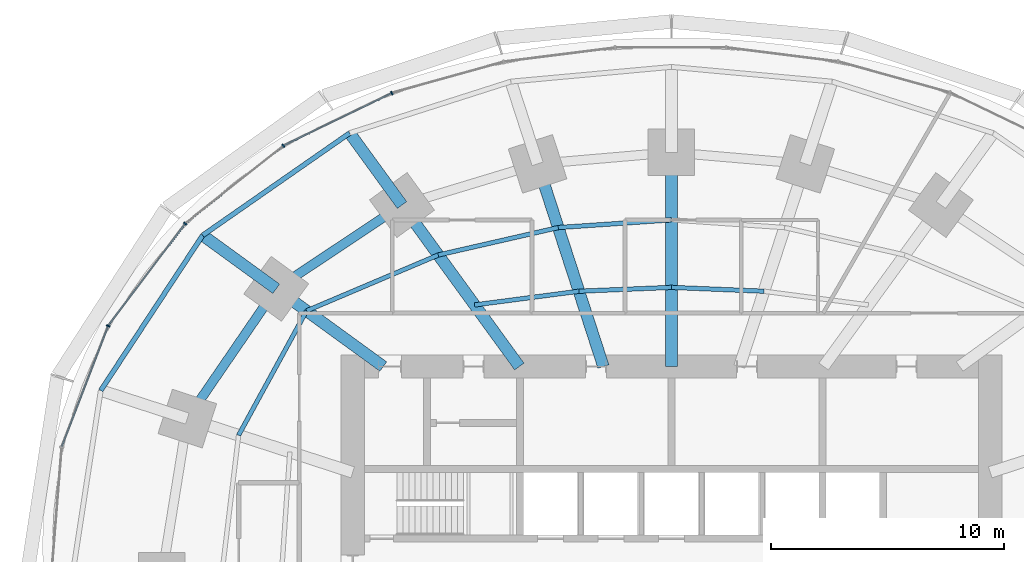
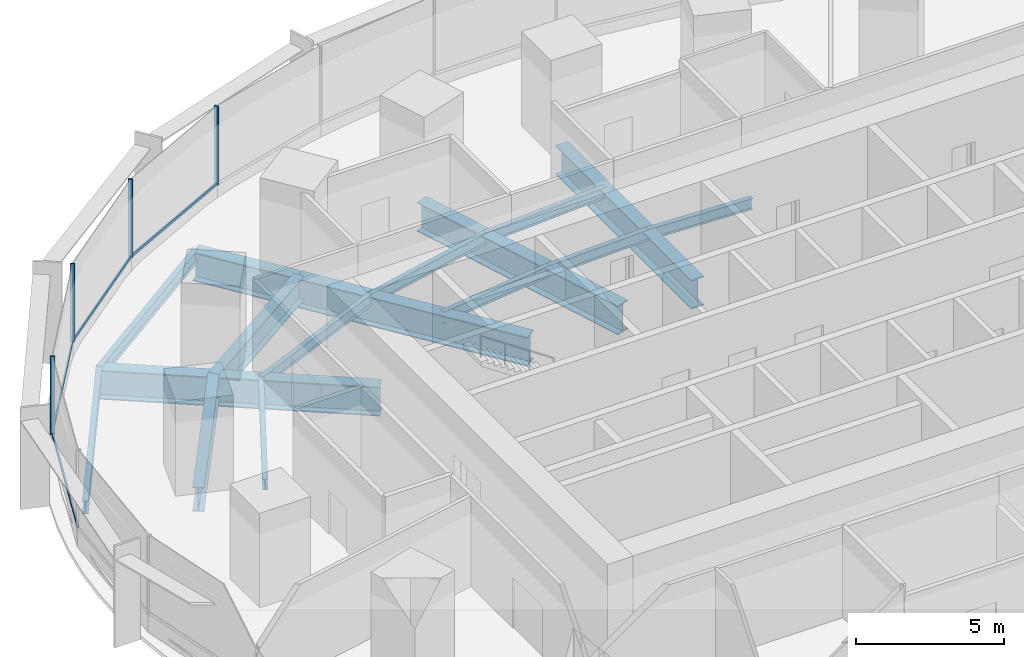
# One storey, part 7 of 15: 17 beams, 8 members, 1 element without a shape of its own.
"""IFC4 building model written with IfcOpenShell, lengths in metres."""

from ifc_helpers import new_model, si_unit, direction, frame, origin, origin_2d, place, context, subcontext, project, spatial, rectangle, i_section, extrude, material, material_profile, profile_set, type_object, element, aggregate, save


model = new_model("IFC4")

# Units and contexts
model_context = context("Model", 3, precision=1e-05, world=origin(), true_north=direction((0.0, 1.0)))
body_context = subcontext(model_context, "Body", "Model", "MODEL_VIEW")
ifc_project = project(units=[si_unit("LENGTHUNIT", "METRE"), si_unit("AREAUNIT", "SQUARE_METRE"), si_unit("VOLUMEUNIT", "CUBIC_METRE"), si_unit("PLANEANGLEUNIT", "RADIAN"), si_unit("MASSUNIT", "GRAM", prefix="KILO")], contexts=[model_context])

# Site, building, storey
site_placement = place(None, origin())
site = spatial("IfcSite", under=ifc_project, at=site_placement, CompositionType="ELEMENT")
building_placement = place(site_placement, origin())
building = spatial("IfcBuilding", under=site, at=building_placement, Name="Marramba Exchange Tower", CompositionType="ELEMENT")
storey_placement = place(building_placement, frame((0.0, 0.0, 49.0)))
storey = spatial("IfcBuildingStorey", under=building, at=storey_placement, Name="L11", CompositionType="ELEMENT", Elevation=49.0)

# Beams
ifc_material_1 = material(Name="Steel AS/NZS 3679.2 grade 300", Category="steel")
ifc_material_profile_1 = material_profile(ifc_material_1, i_section(OverallWidth=0.5, OverallDepth=1.199951171875, WebThickness=0.01611328125, FlangeThickness=0.0400390625, at=origin_2d()), Name="1200WB455")
ifc_profile_set_1 = profile_set([ifc_material_profile_1], Name="Steel AS/NZS 3679.2 grade 300")
beam_type_1 = type_object("IfcBeamType", Name="Cantilever girder 1200WB455", PredefinedType="BEAM", material=ifc_profile_set_1)
beam_1_placement = place(storey_placement, frame((-11.581298828125, 15.9404296875, -0.760009765625), z_axis=(-0.587795827483, 0.809009310944, 0.0), x_axis=(-0.809009310944, -0.587795827483, 0.0)))
element("IfcBeam", 1, at=beam_1_placement, inside=storey, type_object=beam_type_1, Name="Cantilever girder L11 TC08", PredefinedType="BEAM", context=body_context, shape_type="SweptSolid", body=[
    extrude(i_section(OverallWidth=0.5, OverallDepth=1.199951171875, WebThickness=0.01611328125, FlangeThickness=0.0400390625, at=origin_2d()), origin(), (0.0, 0.0, 1.0), 3.82421875),
])
beam_2_placement = place(storey_placement, frame((-16.98583984375, 12.3408203125, -0.760009765625), z_axis=(-0.808987260856, 0.587826174793, 0.0), x_axis=(-0.587826174793, -0.808987260856, 0.0)))
element("IfcBeam", 2, at=beam_2_placement, inside=storey, type_object=beam_type_1, Name="Cantilever girder L11 TC09", PredefinedType="BEAM", context=body_context, shape_type="SweptSolid", body=[
    extrude(i_section(OverallWidth=0.5, OverallDepth=1.199951171875, WebThickness=0.01611328125, FlangeThickness=0.0400390625, at=origin_2d()), origin(), (0.0, 0.0, 1.0), 3.90771484375),
])
ifc_material_2 = material(Name="Steel AS/NZS 3679.1 grade 300", Category="steel")
ifc_material_profile_2 = material_profile(ifc_material_2, i_section(OverallWidth=0.18994140625, OverallDepth=0.4541015625, WebThickness=0.008544921875, FlangeThickness=0.0126953125, FilletRadius=0.011474609375, at=origin_2d()), Name="460UB67.1")
ifc_profile_set_2 = profile_set([ifc_material_profile_2], Name="Steel AS/NZS 3679.1 grade 300")
beam_type_2 = type_object("IfcBeamType", Name="Floor joist 460UB67.1", PredefinedType="JOIST", material=ifc_profile_set_2)
for number, where, z_axis, x_axis, name in (
    (3, (3.975830078125, 12.236083984375, -0.386962890625), (-0.999137002892, 0.041536122257, 0.0), (-0.041536122257, -0.999137002892, 0.0), "Joist L11 bay 05 row 1"),
    (4, (0.0, 12.4013671875, -0.386962890625), (-0.999137002892, -0.041536122257, 0.0), (0.041536122257, -0.999137002892, 0.0), "Joist L11 bay 06 row 1"),
):
    element("IfcBeam", number, at=place(storey_placement, frame(where, z_axis=z_axis, x_axis=x_axis)), inside=storey, type_object=beam_type_2, Name=name, PredefinedType="JOIST", context=body_context, shape_type="SweptSolid", body=[
        extrude(i_section(OverallWidth=0.18994140625, OverallDepth=0.4541015625, WebThickness=0.008544921875, FlangeThickness=0.0126953125, FilletRadius=0.011474609375, at=origin_2d()), origin(), (0.0, 0.0, 1.0), 3.979248046875),
    ])
beam_3_placement = place(storey_placement, frame((0.0, 15.302734375, -0.386962890625), z_axis=(-0.997702652202, -0.067745241816, 0.0), x_axis=(0.067745241816, -0.997702652202, 0.0)))
element("IfcBeam", 5, at=beam_3_placement, inside=storey, type_object=beam_type_2, Name="Joist L11 bay 06 row 2", PredefinedType="JOIST", context=body_context, shape_type="SweptSolid", body=[
    extrude(i_section(OverallWidth=0.18994140625, OverallDepth=0.4541015625, WebThickness=0.008544921875, FlangeThickness=0.0126953125, FilletRadius=0.011474609375, at=origin_2d()), origin(), (0.0, 0.0, 1.0), 4.8759765625),
])
beam_4_placement = place(storey_placement, frame((-3.975830078125, 12.236083984375, -0.386962890625), z_axis=(-0.991480538255, -0.130254912618, 0.0), x_axis=(0.130254912618, -0.991480538255, 0.0)))
element("IfcBeam", 6, at=beam_4_placement, inside=storey, type_object=beam_type_2, Name="Joist L11 bay 07 row 1", PredefinedType="JOIST", context=body_context, shape_type="SweptSolid", body=[
    extrude(i_section(OverallWidth=0.18994140625, OverallDepth=0.4541015625, WebThickness=0.008544921875, FlangeThickness=0.0126953125, FilletRadius=0.011474609375, at=origin_2d()), origin(), (0.0, 0.0, 1.0), 4.524658203125),
])
beam_5_placement = place(storey_placement, frame((-4.86474609375, 14.972412109375, -0.386962890625), z_axis=(-0.974859652292, -0.222819788916, 0.0), x_axis=(0.222819788916, -0.974859652292, 0.0)))
element("IfcBeam", 7, at=beam_5_placement, inside=storey, type_object=beam_type_2, Name="Joist L11 bay 07 row 2", PredefinedType="JOIST", context=body_context, shape_type="SweptSolid", body=[
    extrude(i_section(OverallWidth=0.18994140625, OverallDepth=0.4541015625, WebThickness=0.008544921875, FlangeThickness=0.0126953125, FilletRadius=0.011474609375, at=origin_2d()), origin(), (0.0, 0.0, 1.0), 5.2900390625),
])
beam_6_placement = place(storey_placement, frame((-10.021728515625, 13.793701171875, -0.386962890625), z_axis=(-0.920674336375, -0.390331610738, 0.0), x_axis=(0.390331610738, -0.920674336375, 0.0)))
element("IfcBeam", 8, at=beam_6_placement, inside=storey, type_object=beam_type_2, Name="Joist L11 bay 08 row 2", PredefinedType="JOIST", context=body_context, shape_type="SweptSolid", body=[
    extrude(i_section(OverallWidth=0.18994140625, OverallDepth=0.4541015625, WebThickness=0.008544921875, FlangeThickness=0.0126953125, FilletRadius=0.011474609375, at=origin_2d()), origin(), (0.0, 0.0, 1.0), 6.1484375),
])
beam_7_placement = place(storey_placement, frame((-15.682373046875, 11.393798828125, -0.386962890625), z_axis=(-0.479584443791, -0.877495732909, 0.0), x_axis=(0.877495732909, -0.479584443791, 0.0)))
element("IfcBeam", 9, at=beam_7_placement, inside=storey, type_object=beam_type_2, Name="Joist L11 bay 09 row 2", PredefinedType="JOIST", context=body_context, shape_type="SweptSolid", body=[
    extrude(i_section(OverallWidth=0.18994140625, OverallDepth=0.4541015625, WebThickness=0.008544921875, FlangeThickness=0.0126953125, FilletRadius=0.011474609375, at=origin_2d()), origin(), (0.0, 0.0, 1.0), 6.094970703125),
])
ifc_material_profile_3 = material_profile(ifc_material_1, i_section(OverallWidth=0.5, OverallDepth=1.199951171875, WebThickness=0.01611328125, FlangeThickness=0.0400390625, at=origin_2d()), Name="1200WB455")
ifc_profile_set_3 = profile_set([ifc_material_profile_3], Name="Steel AS/NZS 3679.2 grade 300")
beam_type_3 = type_object("IfcBeamType", Name="Radial girder 1200WB455", PredefinedType="BEAM", material=ifc_profile_set_3)
beam_8_placement = place(storey_placement, frame((0.0, 9.0, -0.760009765625), z_axis=(0.0, 1.0, 0.0), x_axis=(-1.0, 0.0, 0.0)))
element("IfcBeam", 10, at=beam_8_placement, inside=storey, type_object=beam_type_3, Name="Radial girder L11 TC06", PredefinedType="BEAM", context=body_context, shape_type="SweptSolid", body=[
    extrude(i_section(OverallWidth=0.5, OverallDepth=1.199951171875, WebThickness=0.01611328125, FlangeThickness=0.0400390625, at=origin_2d()), origin(), (0.0, 0.0, 1.0), 9.2041015625),
])
beam_9_placement = place(storey_placement, frame((-2.92431640625, 9.0, -0.760009765625), z_axis=(-0.309019754162, 0.951055619582, 0.0), x_axis=(-0.951055619582, -0.309019754162, 0.0)))
element("IfcBeam", 11, at=beam_9_placement, inside=storey, type_object=beam_type_3, Name="Radial girder L11 TC07", PredefinedType="BEAM", context=body_context, shape_type="SweptSolid", body=[
    extrude(i_section(OverallWidth=0.5, OverallDepth=1.199951171875, WebThickness=0.01611328125, FlangeThickness=0.0400390625, at=origin_2d()), origin(), (0.0, 0.0, 1.0), 9.15673828125),
])
beam_10_placement = place(storey_placement, frame((-6.538818359375, 9.0, -0.760009765625), z_axis=(-0.587782439969, 0.80901903764, 0.0), x_axis=(-0.80901903764, -0.587782439969, 0.0)))
element("IfcBeam", 12, at=beam_10_placement, inside=storey, type_object=beam_type_3, Name="Radial girder L11 TC08", PredefinedType="BEAM", context=body_context, shape_type="SweptSolid", body=[
    extrude(i_section(OverallWidth=0.5, OverallDepth=1.199951171875, WebThickness=0.01611328125, FlangeThickness=0.0400390625, at=origin_2d()), origin(), (0.0, 0.0, 1.0), 8.578857421875),
])
beam_11_placement = place(storey_placement, frame((-12.387451171875, 9.0, -0.760009765625), z_axis=(-0.809025746925, 0.587773205252, 0.0), x_axis=(-0.587773205252, -0.809025746925, 0.0)))
element("IfcBeam", 13, at=beam_11_placement, inside=storey, type_object=beam_type_3, Name="Radial girder L11 TC09", PredefinedType="BEAM", context=body_context, shape_type="SweptSolid", body=[
    extrude(i_section(OverallWidth=0.5, OverallDepth=1.199951171875, WebThickness=0.01611328125, FlangeThickness=0.0400390625, at=origin_2d()), origin(), (0.0, 0.0, 1.0), 5.683837890625),
])
ifc_material_profile_4 = material_profile(ifc_material_1, i_section(OverallWidth=0.39990234375, OverallDepth=1.0, WebThickness=0.01611328125, FlangeThickness=0.031982421875, at=origin_2d()), Name="1000WB322")
ifc_profile_set_4 = profile_set([ifc_material_profile_4], Name="Steel AS/NZS 3679.2 grade 300")
beam_type_4 = type_object("IfcBeamType", Name="Ring beam 1000WB322", PredefinedType="SPANDREL", material=ifc_profile_set_4)
beam_12_placement = place(storey_placement, frame((-11.581298828125, 15.9404296875, -0.659912109375), z_axis=(-0.832293151443, -0.554335737673, 0.0), x_axis=(0.554335737673, -0.832293151443, 0.0)))
element("IfcBeam", 14, at=beam_12_placement, inside=storey, type_object=beam_type_4, Name="Ring beam L11 TC08-TC09", PredefinedType="SPANDREL", context=body_context, shape_type="SweptSolid", body=[
    extrude(i_section(OverallWidth=0.39990234375, OverallDepth=1.0, WebThickness=0.01611328125, FlangeThickness=0.031982421875, at=origin_2d()), origin(), (0.0, 0.0, 1.0), 6.49365234375),
])
beam_13_placement = place(storey_placement, frame((-16.98583984375, 12.3408203125, -0.659912109375), z_axis=(-0.56516002054, -0.824981303535, 0.0), x_axis=(0.824981303535, -0.56516002054, 0.0)))
element("IfcBeam", 15, at=beam_13_placement, inside=storey, type_object=beam_type_4, Name="Ring beam L11 TC09-TC10", PredefinedType="SPANDREL", context=body_context, shape_type="SweptSolid", body=[
    extrude(i_section(OverallWidth=0.39990234375, OverallDepth=1.0, WebThickness=0.01611328125, FlangeThickness=0.031982421875, at=origin_2d()), origin(), (0.0, 0.0, 1.0), 6.763671875),
])
ifc_material_profile_5 = material_profile(ifc_material_2, i_section(OverallWidth=0.208984375, OverallDepth=0.528076171875, WebThickness=0.009521484375, FlangeThickness=0.01318359375, FilletRadius=0.013916015625, at=origin_2d()), Name="530UB82.0")
ifc_profile_set_5 = profile_set([ifc_material_profile_5], Name="Steel AS/NZS 3679.1 grade 300")
beam_type_5 = type_object("IfcBeamType", Name="Slab edge beam 530UB82.0", PredefinedType="SPANDREL", material=ifc_profile_set_5)
beam_14_placement = place(storey_placement, frame((-13.8291015625, 19.0341796875, -0.424072265625), z_axis=(-0.820842487183, -0.571154629882, 0.0), x_axis=(0.571154629882, -0.820842487183, 0.0)))
element("IfcBeam", 16, at=beam_14_placement, inside=storey, type_object=beam_type_5, Name="Slab edge beam L11 TC08-TC09", PredefinedType="SPANDREL", context=body_context, shape_type="SweptSolid", body=[
    extrude(i_section(OverallWidth=0.208984375, OverallDepth=0.528076171875, WebThickness=0.009521484375, FlangeThickness=0.01318359375, FilletRadius=0.013916015625, at=origin_2d()), origin(), (0.0, 0.0, 1.0), 7.697021484375),
])
beam_15_placement = place(storey_placement, frame((-20.147216796875, 14.637939453125, -0.424072265625), z_axis=(-0.549123544095, -0.835741188001, 0.0), x_axis=(0.835741188001, -0.549123544095, 0.0)))
element("IfcBeam", 17, at=beam_15_placement, inside=storey, type_object=beam_type_5, Name="Slab edge beam L11 TC09-TC10", PredefinedType="SPANDREL", context=body_context, shape_type="SweptSolid", body=[
    extrude(i_section(OverallWidth=0.208984375, OverallDepth=0.528076171875, WebThickness=0.009521484375, FlangeThickness=0.01318359375, FilletRadius=0.013916015625, at=origin_2d()), origin(), (0.0, 0.0, 1.0), 7.978759765625),
])

# Curtain wall, members
ifc_material_3 = material(Name="Aluminium framing, bronze anodised", Category="aluminium")
curtain_wall_type = type_object("IfcCurtainWallType", Name="Trading floor ribbon curtain wall", PredefinedType="USERDEFINED", material=ifc_material_3)
curtain_wall_placement = place(storey_placement, origin())
curtain_wall = element("IfcCurtainWall", 18, at=curtain_wall_placement, inside=storey, type_object=curtain_wall_type, Name="Curtain wall CW3 L11 F11-F15", ObjectType="RIBBON CURTAIN WALL", PredefinedType="USERDEFINED")
ifc_material_4 = material(Name="Aluminium mullion, bronze anodised", Category="aluminium")
ifc_material_profile_6 = material_profile(ifc_material_4, rectangle(XDim=0.159912109375, YDim=0.06005859375, at=origin_2d()), Name="CW3 mullion 60x160")
ifc_profile_set_6 = profile_set([ifc_material_profile_6], Name="Aluminium mullion, bronze anodised")
member_type_1 = type_object("IfcMemberType", Name="Trading floor ribbon curtain wall mullion", PredefinedType="MULLION", material=ifc_profile_set_6)
member_1_placement = place(storey_placement, frame((-12.016357421875, 20.7529296875, 0.800048828125), z_axis=(0.0, 0.0, 1.0), x_axis=(0.43596538664, -0.899963433508, 0.0)))
member_1 = element("IfcMember", 19, at=member_1_placement, type_object=member_type_1, Name="CW3 mullion 1", PredefinedType="MULLION", context=body_context, shape_type="SweptSolid", body=[
    extrude(rectangle(XDim=0.159912109375, YDim=0.06005859375, at=origin_2d()), origin(), (0.0, 0.0, 1.0), 3.239990234375),
])
member_2_placement = place(storey_placement, frame((-16.683837890625, 18.484619140625, 0.800048828125), z_axis=(0.0, 0.0, 1.0), x_axis=(0.620649730166, -0.784087949432, 0.0)))
member_2 = element("IfcMember", 20, at=member_2_placement, type_object=member_type_1, Name="CW3 mullion 1", PredefinedType="MULLION", context=body_context, shape_type="SweptSolid", body=[
    extrude(rectangle(XDim=0.159912109375, YDim=0.06005859375, at=origin_2d()), origin(), (0.0, 0.0, 1.0), 3.239990234375),
])
member_3_placement = place(storey_placement, frame((-20.8935546875, 15.142822265625, 0.800048828125), z_axis=(0.0, 0.0, 1.0), x_axis=(0.797748922445, -0.602989765036, 0.0)))
member_3 = element("IfcMember", 21, at=member_3_placement, type_object=member_type_1, Name="CW3 mullion 1", PredefinedType="MULLION", context=body_context, shape_type="SweptSolid", body=[
    extrude(rectangle(XDim=0.159912109375, YDim=0.06005859375, at=origin_2d()), origin(), (0.0, 0.0, 1.0), 3.239990234375),
])
member_4_placement = place(storey_placement, frame((-24.207275390625, 10.7451171875, 0.800048828125), z_axis=(0.0, 0.0, 1.0), x_axis=(0.933135256626, -0.359525510698, 0.0)))
member_4 = element("IfcMember", 22, at=member_4_placement, type_object=member_type_1, Name="CW3 mullion 1", PredefinedType="MULLION", context=body_context, shape_type="SweptSolid", body=[
    extrude(rectangle(XDim=0.159912109375, YDim=0.06005859375, at=origin_2d()), origin(), (0.0, 0.0, 1.0), 3.239990234375),
])
ifc_material_5 = material(Name="Aluminium transom, bronze anodised", Category="aluminium")
ifc_material_profile_7 = material_profile(ifc_material_5, rectangle(XDim=0.06005859375, YDim=0.1201171875, at=origin_2d()), Name="CW3 transom 60x120")
ifc_profile_set_7 = profile_set([ifc_material_profile_7], Name="Aluminium transom, bronze anodised")
member_type_2 = type_object("IfcMemberType", Name="Trading floor ribbon curtain wall transom", PredefinedType="USERDEFINED", material=ifc_profile_set_7)
member_5_placement = place(storey_placement, frame((-12.043212890625, 20.739990234375, 0.830078125), z_axis=(-0.89995331781, -0.43598626786, 0.0), x_axis=(0.43598626786, -0.89995331781, 0.0)))
member_5 = element("IfcMember", 23, at=member_5_placement, type_object=member_type_2, Name="CW3 sill transom", ObjectType="TRANSOM", PredefinedType="USERDEFINED", context=body_context, shape_type="SweptSolid", body=[
    extrude(rectangle(XDim=0.06005859375, YDim=0.1201171875, at=origin_2d()), origin(), (0.0, 0.0, 1.0), 5.13037109375),
])
member_6_placement = place(storey_placement, frame((-16.70751953125, 18.466064453125, 0.830078125), z_axis=(-0.784075625018, -0.620665299701, 0.0), x_axis=(0.620665299701, -0.784075625018, 0.0)))
member_6 = element("IfcMember", 24, at=member_6_placement, type_object=member_type_2, Name="CW3 sill transom", ObjectType="TRANSOM", PredefinedType="USERDEFINED", context=body_context, shape_type="SweptSolid", body=[
    extrude(rectangle(XDim=0.06005859375, YDim=0.1201171875, at=origin_2d()), origin(), (0.0, 0.0, 1.0), 5.315673828125),
])
member_7_placement = place(storey_placement, frame((-20.91162109375, 15.118896484375, 0.830078125), z_axis=(-0.602985866158, -0.797751869452, 0.0), x_axis=(0.797751869452, -0.602985866158, 0.0)))
member_7 = element("IfcMember", 25, at=member_7_placement, type_object=member_type_2, Name="CW3 sill transom", ObjectType="TRANSOM", PredefinedType="USERDEFINED", context=body_context, shape_type="SweptSolid", body=[
    extrude(rectangle(XDim=0.06005859375, YDim=0.1201171875, at=origin_2d()), origin(), (0.0, 0.0, 1.0), 5.44775390625),
])
member_8_placement = place(storey_placement, frame((-24.218017578125, 10.717041015625, 0.830078125), z_axis=(-0.359533581349, -0.933132147063, 0.0), x_axis=(0.933132147063, -0.359533581349, 0.0)))
member_8 = element("IfcMember", 26, at=member_8_placement, type_object=member_type_2, Name="CW3 sill transom", ObjectType="TRANSOM", PredefinedType="USERDEFINED", context=body_context, shape_type="SweptSolid", body=[
    extrude(rectangle(XDim=0.06005859375, YDim=0.1201171875, at=origin_2d()), origin(), (0.0, 0.0, 1.0), 5.5166015625),
])
aggregate(curtain_wall, [member_1, member_5, member_2, member_6, member_3, member_7, member_4, member_8])

save(model, "model.ifc")
